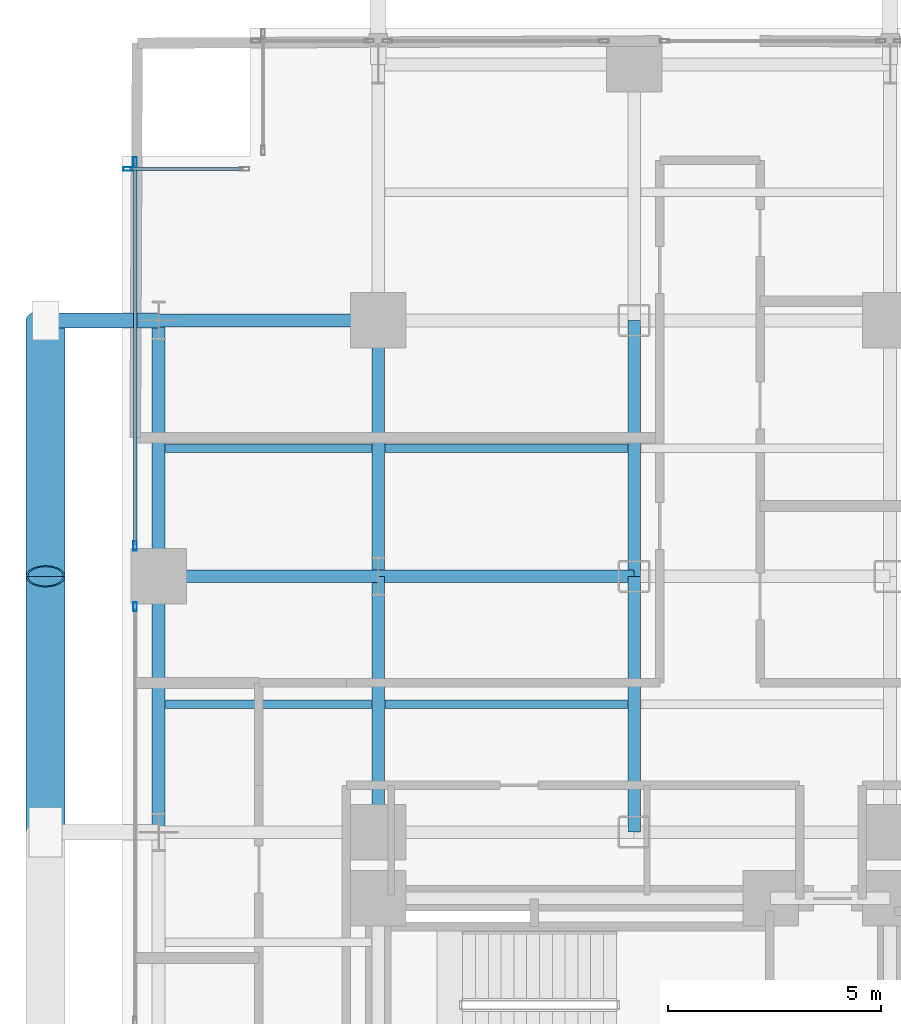
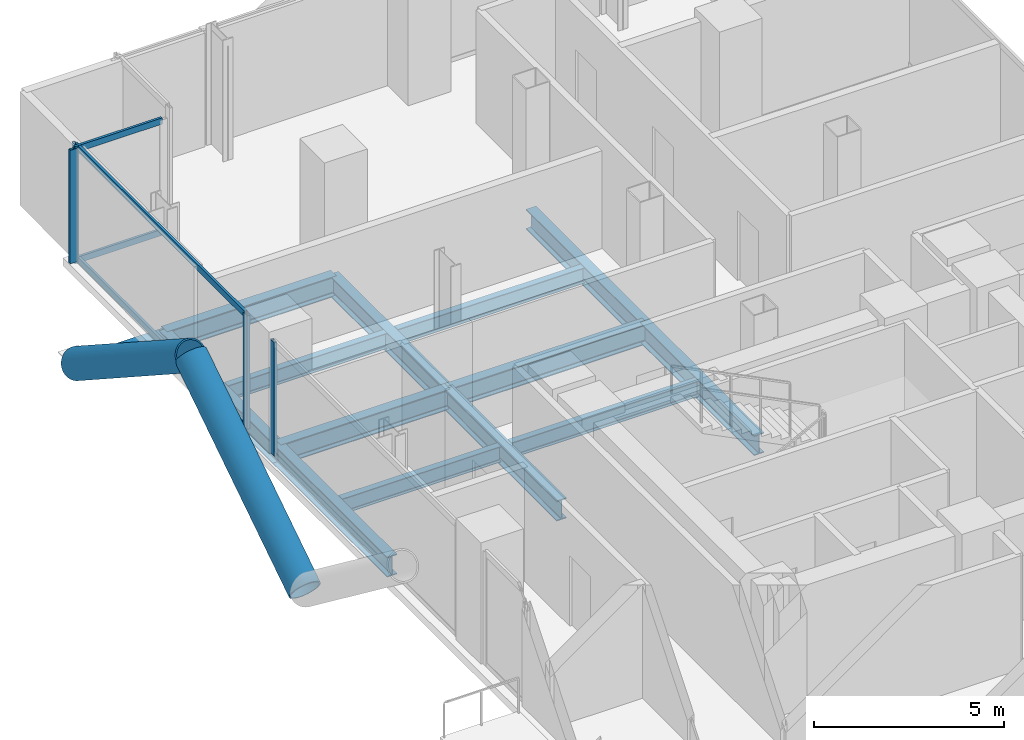
# One storey, part 13 of 25: 13 beams, 11 members, 3 elements without a shape of their own.
"""IFC4 building model written with IfcOpenShell, lengths in metres."""

from ifc_helpers import new_model, si_unit, direction, frame, origin, origin_2d, place, context, subcontext, project, spatial, hollow_rectangle, hollow_circle, i_section, extrude, material, layer, layer_set, material_profile, profile_set, type_object, element, aggregate, save


model = new_model("IFC4")

# Units and contexts
model_context = context("Model", 3, precision=1e-05, world=origin(), true_north=direction((0.0, 1.0)))
body_context = subcontext(model_context, "Body", "Model", "MODEL_VIEW")
ifc_project = project(units=[si_unit("LENGTHUNIT", "METRE"), si_unit("AREAUNIT", "SQUARE_METRE"), si_unit("VOLUMEUNIT", "CUBIC_METRE"), si_unit("PLANEANGLEUNIT", "RADIAN"), si_unit("MASSUNIT", "GRAM", prefix="KILO"), si_unit("THERMODYNAMICTEMPERATUREUNIT", "KELVIN"), si_unit("POWERUNIT", "WATT")], contexts=[model_context])

# Site, building, storey
site_placement = place(None, origin())
site = spatial("IfcSite", under=ifc_project, at=site_placement, CompositionType="ELEMENT")
building_placement = place(site_placement, origin())
building = spatial("IfcBuilding", under=site, at=building_placement, Name="Svarakhadi Broadcast Tower", CompositionType="ELEMENT")
storey_placement = place(building_placement, frame((0.0, 0.0, 79.199951171875)))
storey = spatial("IfcBuildingStorey", under=building, at=storey_placement, Name="L18", CompositionType="ELEMENT", Elevation=79.199951171875)

# Beams
ifc_material_1 = material(Name="Steel S355J2 (IS 2062 E350C)", Category="steel")
ifc_material_profile_1 = material_profile(ifc_material_1, i_section(OverallWidth=0.199951171875, OverallDepth=0.5, WebThickness=0.01025390625, FlangeThickness=0.01611328125, FilletRadius=0.02099609375, at=origin_2d()), Name="NPB 500x200x91")
ifc_profile_set_1 = profile_set([ifc_material_profile_1], Name="Steel S355J2 (IS 2062 E350C)")
beam_type_1 = type_object("IfcBeamType", Name="Beam_NPB500", PredefinedType="BEAM", material=ifc_profile_set_1)
for number, where, z_axis, x_axis, name in (
    (1, (1.010009765625, 32.14990234375, -0.5), (1.0, 0.0, 0.0), (0.0, 1.0, 0.0), "L18 Secondary Composite Beam SB005"),
    (2, (1.010009765625, 38.14990234375, -0.5), (1.0, 0.0, 0.0), (0.0, 1.0, 0.0), "L18 Secondary Composite Beam SB006"),
):
    element("IfcBeam", number, at=place(storey_placement, frame(where, z_axis=z_axis, x_axis=x_axis)), inside=storey, type_object=beam_type_1, Name=name, PredefinedType="BEAM", context=body_context, shape_type="SweptSolid", body=[
        extrude(i_section(OverallWidth=0.199951171875, OverallDepth=0.5, WebThickness=0.01025390625, FlangeThickness=0.01611328125, FilletRadius=0.02099609375, at=origin_2d()), origin(), (0.0, 0.0, 1.0), 4.830078125),
    ])
for number, where, z_axis, x_axis, name in (
    (3, (6.159912109375, 32.14990234375, -0.5), (1.0, 0.0, 0.0), (0.0, 1.0, 0.0), "L18 Secondary Composite Beam SB010"),
    (4, (6.159912109375, 38.14990234375, -0.5), (1.0, 0.0, 0.0), (0.0, 1.0, 0.0), "L18 Secondary Composite Beam SB011"),
):
    element("IfcBeam", number, at=place(storey_placement, frame(where, z_axis=z_axis, x_axis=x_axis)), inside=storey, type_object=beam_type_1, Name=name, PredefinedType="BEAM", context=body_context, shape_type="SweptSolid", body=[
        extrude(i_section(OverallWidth=0.199951171875, OverallDepth=0.5, WebThickness=0.01025390625, FlangeThickness=0.01611328125, FilletRadius=0.02099609375, at=origin_2d()), origin(), (0.0, 0.0, 1.0), 5.68017578125),
    ])

# Curtain wall, member
ifc_material_2 = material(Name="Anodised Bronze Aluminium AA 6063-T6", Category="aluminium")
ifc_layer = layer(ifc_material_2, 0.219970703125)
ifc_layer_set = layer_set([ifc_layer], Name="Anodised Bronze Aluminium AA 6063-T6")
curtain_wall_type = type_object("IfcCurtainWallType", Name="CW_Sys_02", PredefinedType="NOTDEFINED", material=ifc_layer_set)
curtain_wall_1_placement = place(storey_placement, origin())
curtain_wall_1 = element("IfcCurtainWall", 5, at=curtain_wall_1_placement, inside=storey, type_object=curtain_wall_type, Name="L18 West Curtain Wall 03 Bay 2", PredefinedType="NOTDEFINED")
ifc_material_profile_2 = material_profile(ifc_material_2, hollow_rectangle(XDim=0.0849609375, YDim=0.219970703125, WallThickness=0.006103515625, at=origin_2d()), Name="ALU MULLION 220x85x6")
ifc_profile_set_2 = profile_set([ifc_material_profile_2], Name="Anodised Bronze Aluminium AA 6063-T6")
member_type_1 = type_object("IfcMemberType", Name="CW_Sys_02_Mul", PredefinedType="MULLION", material=ifc_profile_set_2)
member_1_placement = place(storey_placement, frame((0.300048828125, 34.4375, 0.0), z_axis=(0.0, 0.0, 1.0), x_axis=(-1.0, 0.0, 0.0)))
member_1 = element("IfcMember", 6, at=member_1_placement, type_object=member_type_1, Name="CW-02 mullion 2", PredefinedType="MULLION", context=body_context, shape_type="SweptSolid", body=[
    extrude(hollow_rectangle(XDim=0.0849609375, YDim=0.219970703125, WallThickness=0.006103515625, at=origin_2d()), origin(), (0.0, 0.0, 1.0), 3.650146484375),
])
aggregate(curtain_wall_1, [member_1])

# Curtain wall, members
curtain_wall_2_placement = place(storey_placement, origin())
curtain_wall_2 = element("IfcCurtainWall", 7, at=curtain_wall_2_placement, inside=storey, type_object=curtain_wall_type, Name="L18 West Curtain Wall 03 Bay 3", PredefinedType="NOTDEFINED")
member_2_placement = place(storey_placement, frame((0.300048828125, 35.862548828125, 0.0), z_axis=(0.0, 0.0, 1.0), x_axis=(-1.0, 0.0, 0.0)))
member_2 = element("IfcMember", 8, at=member_2_placement, type_object=member_type_1, Name="CW-02 mullion 1", PredefinedType="MULLION", context=body_context, shape_type="SweptSolid", body=[
    extrude(hollow_rectangle(XDim=0.0849609375, YDim=0.219970703125, WallThickness=0.006103515625, at=origin_2d()), origin(), (0.0, 0.0, 1.0), 3.650146484375),
])
member_3_placement = place(storey_placement, frame((0.300048828125, 44.867431640625, 0.0), z_axis=(0.0, 0.0, 1.0), x_axis=(-1.0, 0.0, 0.0)))
member_3 = element("IfcMember", 9, at=member_3_placement, type_object=member_type_1, Name="CW-02 mullion 2", PredefinedType="MULLION", context=body_context, shape_type="SweptSolid", body=[
    extrude(hollow_rectangle(XDim=0.0849609375, YDim=0.219970703125, WallThickness=0.006103515625, at=origin_2d()), origin(), (0.0, 0.0, 1.0), 3.650146484375),
])

# Curtain wall, member
curtain_wall_3_placement = place(storey_placement, origin())
curtain_wall_3 = element("IfcCurtainWall", 10, at=curtain_wall_3_placement, inside=storey, type_object=curtain_wall_type, Name="L18 Unitised Facade Curtain Wall 04", PredefinedType="NOTDEFINED")
member_4_placement = place(storey_placement, frame((0.132568359375, 44.699951171875, 0.0), z_axis=(0.0, 0.0, 1.0), x_axis=(0.0, 1.0, 0.0)))
member_4 = element("IfcMember", 11, at=member_4_placement, type_object=member_type_1, Name="CW-02 mullion 1", PredefinedType="MULLION", context=body_context, shape_type="SweptSolid", body=[
    extrude(hollow_rectangle(XDim=0.0849609375, YDim=0.219970703125, WallThickness=0.006103515625, at=origin_2d()), origin(), (0.0, 0.0, 1.0), 3.650146484375),
])

# Member
ifc_material_profile_3 = material_profile(ifc_material_2, hollow_rectangle(XDim=0.074951171875, YDim=0.199951171875, WallThickness=0.0048828125, at=origin_2d()), Name="ALU TRANSOM 200x75x5")
ifc_profile_set_3 = profile_set([ifc_material_profile_3], Name="Anodised Bronze Aluminium AA 6063-T6")
member_type_2 = type_object("IfcMemberType", Name="CW_Sys_02_Trn", PredefinedType="USERDEFINED", material=ifc_profile_set_3)
member_5_placement = place(storey_placement, frame((0.300048828125, 35.905029296875, 0.03759765625), z_axis=(0.0, 1.0, 0.0), x_axis=(-1.0, 0.0, 0.0)))
member_5 = element("IfcMember", 12, at=member_5_placement, type_object=member_type_2, Name="CW-02 transom 1.1", ObjectType="TRANSOM", PredefinedType="USERDEFINED", context=body_context, shape_type="SweptSolid", body=[
    extrude(hollow_rectangle(XDim=0.074951171875, YDim=0.199951171875, WallThickness=0.0048828125, at=origin_2d()), origin(), (0.0, 0.0, 1.0), 8.919921875),
])

member_6_placement = place(storey_placement, frame((0.300048828125, 35.905029296875, 3.612548828125), z_axis=(0.0, 1.0, 0.0), x_axis=(-1.0, 0.0, 0.0)))
member_6 = element("IfcMember", 13, at=member_6_placement, type_object=member_type_2, Name="CW-02 transom 1.2", ObjectType="TRANSOM", PredefinedType="USERDEFINED", context=body_context, shape_type="SweptSolid", body=[
    extrude(hollow_rectangle(XDim=0.074951171875, YDim=0.199951171875, WallThickness=0.0048828125, at=origin_2d()), origin(), (0.0, 0.0, 1.0), 8.919921875),
])

aggregate(curtain_wall_2, [member_2, member_3, member_5, member_6])

member_7_placement = place(storey_placement, frame((0.175048828125, 44.699951171875, 0.03759765625), z_axis=(1.0, 0.0, 0.0), x_axis=(0.0, 1.0, 0.0)))
member_7 = element("IfcMember", 14, at=member_7_placement, type_object=member_type_2, Name="CW-02 transom 1.1", ObjectType="TRANSOM", PredefinedType="USERDEFINED", context=body_context, shape_type="SweptSolid", body=[
    extrude(hollow_rectangle(XDim=0.074951171875, YDim=0.199951171875, WallThickness=0.0048828125, at=origin_2d()), origin(), (0.0, 0.0, 1.0), 2.64990234375),
])

member_8_placement = place(storey_placement, frame((0.175048828125, 44.699951171875, 3.612548828125), z_axis=(1.0, 0.0, 0.0), x_axis=(0.0, 1.0, 0.0)))
member_8 = element("IfcMember", 15, at=member_8_placement, type_object=member_type_2, Name="CW-02 transom 1.2", ObjectType="TRANSOM", PredefinedType="USERDEFINED", context=body_context, shape_type="SweptSolid", body=[
    extrude(hollow_rectangle(XDim=0.074951171875, YDim=0.199951171875, WallThickness=0.0048828125, at=origin_2d()), origin(), (0.0, 0.0, 1.0), 2.64990234375),
])

aggregate(curtain_wall_3, [member_4, member_7, member_8])

# Members
ifc_material_3 = material(Name="Steel S460ML (IS 2062 E450BR)", Category="steel")
ifc_material_profile_4 = material_profile(ifc_material_3, hollow_circle(Radius=0.45703125, WallThickness=0.044921875, at=origin_2d()), Name="CHS 914x45")
ifc_profile_set_4 = profile_set([ifc_material_profile_4], Name="Steel S460ML (IS 2062 E450BR)")
member_type_3 = type_object("IfcMemberType", Name="Exo_Brace_CHS914", PredefinedType="BRACE", material=ifc_profile_set_4)
for number, where, z_axis, x_axis, name in (
    (16, (-1.800048828125, 29.14990234375, -0.427734375), (0.0, 0.838449851971, 0.544978757136), (-1.0, 0.0, 0.0), "L18 Exposed Bronze Exoskeleton Diagonal W06"),
    (17, (-1.800048828125, 41.14990234375, -0.427734375), (0.0, -0.838449851971, 0.544978757136), (1.0, 0.0, 0.0), "L18 Exposed Bronze Exoskeleton Diagonal W07"),
):
    element("IfcMember", number, at=place(storey_placement, frame(where, z_axis=z_axis, x_axis=x_axis)), inside=storey, type_object=member_type_3, Name=name, PredefinedType="BRACE", context=body_context, shape_type="SweptSolid", body=[
        extrude(hollow_circle(Radius=0.45703125, WallThickness=0.044921875, at=origin_2d()), origin(), (0.0, 0.0, 1.0), 7.156005859375),
    ])
ifc_material_profile_5 = material_profile(ifc_material_3, hollow_circle(Radius=0.177734375, WallThickness=0.02001953125, at=origin_2d()), Name="CHS 355.6x20")
ifc_profile_set_5 = profile_set([ifc_material_profile_5], Name="Steel S460ML (IS 2062 E450BR)")
member_type_4 = type_object("IfcMemberType", Name="Exo_Radial_Strut_Z1", PredefinedType="STRUT", material=ifc_profile_set_5)
member_9_placement = place(storey_placement, frame((-1.800048828125, 41.14990234375, -0.427734375), z_axis=(1.0, 0.0, 0.0), x_axis=(0.0, 1.0, 0.0)))
element("IfcMember", 18, at=member_9_placement, inside=storey, type_object=member_type_4, Name="L18 Exoskeleton Radial Tie Strut W08", PredefinedType="STRUT", context=body_context, shape_type="SweptSolid", body=[
    extrude(hollow_circle(Radius=0.177734375, WallThickness=0.02001953125, at=origin_2d()), origin(), (0.0, 0.0, 1.0), 2.650146484375),
])

# Beams
ifc_material_profile_6 = material_profile(ifc_material_1, i_section(OverallWidth=0.300048828125, OverallDepth=0.64990234375, WebThickness=0.01611328125, FlangeThickness=0.031005859375, FilletRadius=0.027099609375, at=origin_2d()), Name="WPB 650x300x225")
ifc_profile_set_6 = profile_set([ifc_material_profile_6], Name="Steel S355J2 (IS 2062 E350C)")
beam_type_2 = type_object("IfcBeamType", Name="Girder_WPB650", PredefinedType="USERDEFINED", material=ifc_profile_set_6)
beam_1_placement = place(storey_placement, frame((0.85009765625, 35.14990234375, -0.574951171875), z_axis=(1.0, 0.0, 0.0), x_axis=(0.0, 1.0, 0.0)))
element("IfcBeam", 19, at=beam_1_placement, inside=storey, type_object=beam_type_2, Name="L18 Primary E-W Girder G037", ObjectType="GIRDER", PredefinedType="USERDEFINED", context=body_context, shape_type="SweptSolid", body=[
    extrude(i_section(OverallWidth=0.300048828125, OverallDepth=0.64990234375, WebThickness=0.01611328125, FlangeThickness=0.031005859375, FilletRadius=0.027099609375, at=origin_2d()), origin(), (0.0, 0.0, 1.0), 5.14990234375),
])
beam_2_placement = place(storey_placement, frame((6.0, 35.14990234375, -0.574951171875), z_axis=(1.0, 0.0, 0.0), x_axis=(0.0, 1.0, 0.0)))
element("IfcBeam", 20, at=beam_2_placement, inside=storey, type_object=beam_type_2, Name="L18 Primary E-W Girder G038", ObjectType="GIRDER", PredefinedType="USERDEFINED", context=body_context, shape_type="SweptSolid", body=[
    extrude(i_section(OverallWidth=0.300048828125, OverallDepth=0.64990234375, WebThickness=0.01611328125, FlangeThickness=0.031005859375, FilletRadius=0.027099609375, at=origin_2d()), origin(), (0.0, 0.0, 1.0), 6.0),
])
beam_3_placement = place(storey_placement, frame((0.85009765625, 41.14990234375, -0.574951171875), z_axis=(1.0, 0.0, 0.0), x_axis=(0.0, 1.0, 0.0)))
element("IfcBeam", 21, at=beam_3_placement, inside=storey, type_object=beam_type_2, Name="L18 Primary E-W Girder G040", ObjectType="GIRDER", PredefinedType="USERDEFINED", context=body_context, shape_type="SweptSolid", body=[
    extrude(i_section(OverallWidth=0.300048828125, OverallDepth=0.64990234375, WebThickness=0.01611328125, FlangeThickness=0.031005859375, FilletRadius=0.027099609375, at=origin_2d()), origin(), (0.0, 0.0, 1.0), 5.14990234375),
])
for number, where, z_axis, x_axis, name in (
    (22, (0.85009765625, 29.14990234375, -0.574951171875), (0.0, 1.0, 0.0), (-1.0, 0.0, 0.0), "L18 Primary N-S Girder G049"),
    (23, (0.85009765625, 35.14990234375, -0.574951171875), (0.0, 1.0, 0.0), (-1.0, 0.0, 0.0), "L18 Primary N-S Girder G050"),
    (24, (6.0, 29.14990234375, -0.574951171875), (0.0, 1.0, 0.0), (-1.0, 0.0, 0.0), "L18 Primary N-S Girder G055"),
    (25, (6.0, 35.14990234375, -0.574951171875), (0.0, 1.0, 0.0), (-1.0, 0.0, 0.0), "L18 Primary N-S Girder G056"),
    (26, (12.0, 29.14990234375, -0.574951171875), (0.0, 1.0, 0.0), (-1.0, 0.0, 0.0), "L18 Primary N-S Girder G061"),
    (27, (12.0, 35.14990234375, -0.574951171875), (0.0, 1.0, 0.0), (-1.0, 0.0, 0.0), "L18 Primary N-S Girder G062"),
):
    element("IfcBeam", number, at=place(storey_placement, frame(where, z_axis=z_axis, x_axis=x_axis)), inside=storey, type_object=beam_type_2, Name=name, ObjectType="GIRDER", PredefinedType="USERDEFINED", context=body_context, shape_type="SweptSolid", body=[
        extrude(i_section(OverallWidth=0.300048828125, OverallDepth=0.64990234375, WebThickness=0.01611328125, FlangeThickness=0.031005859375, FilletRadius=0.027099609375, at=origin_2d()), origin(), (0.0, 0.0, 1.0), 6.0),
    ])

save(model, "model.ifc")
